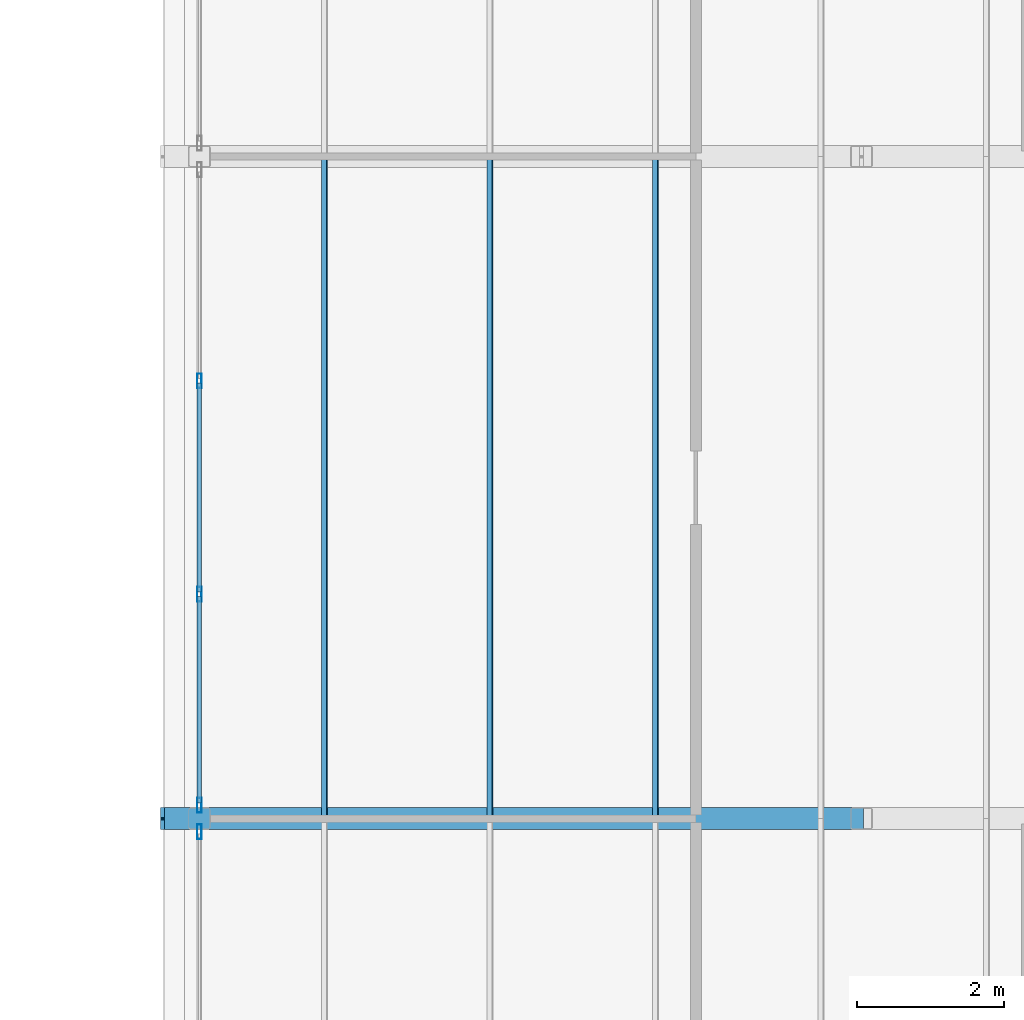
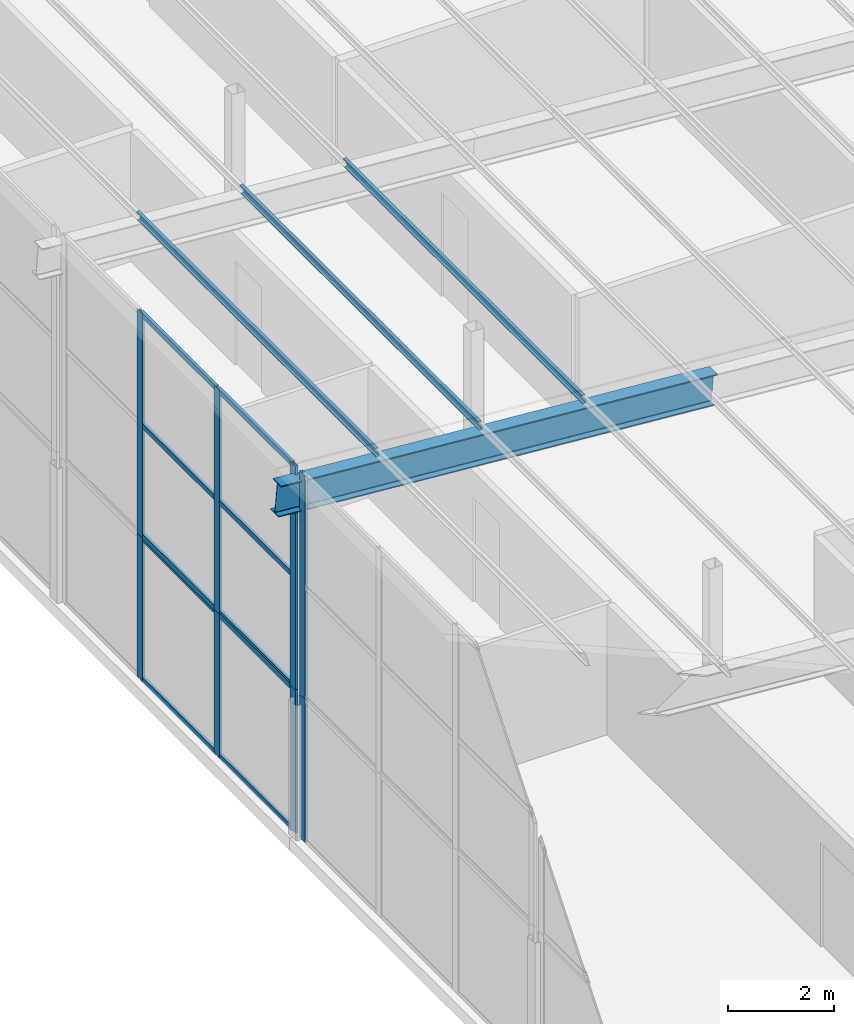
# One storey, part 35 of 85: 22 members, 4 elements without a shape of their own.
"""IFC4 building model written with IfcOpenShell, lengths in metres."""

from ifc_helpers import new_model, si_unit, direction, frame, origin, origin_2d, place, context, subcontext, project, spatial, polyline, hollow_rectangle, i_section, outline, extrude, material, layer, layer_set, material_profile, profile_set, type_object, element, aggregate, save


model = new_model("IFC4")

# Units and contexts
model_context = context("Model", 3, precision=1e-05, world=origin(), true_north=direction((0.0, 1.0)))
body_context = subcontext(model_context, "Body", "Model", "MODEL_VIEW")
ifc_project = project(units=[si_unit("LENGTHUNIT", "METRE"), si_unit("AREAUNIT", "SQUARE_METRE"), si_unit("VOLUMEUNIT", "CUBIC_METRE"), si_unit("PLANEANGLEUNIT", "RADIAN"), si_unit("MASSUNIT", "GRAM", prefix="KILO")], contexts=[model_context])

# Site, building, storey
site_placement = place(None, origin())
site = spatial("IfcSite", under=ifc_project, at=site_placement, CompositionType="ELEMENT")
building_placement = place(site_placement, origin())
building = spatial("IfcBuilding", under=site, at=building_placement, Name="Opaline Strait Convention Centre", CompositionType="ELEMENT")
storey_placement = place(building_placement, frame((0.0, 0.0, 17.0)))
storey = spatial("IfcBuildingStorey", under=building, at=storey_placement, Name="L03", CompositionType="ELEMENT", Elevation=17.0)

# Curtain wall, member
ifc_material_1 = material(Name="Aluminium framed double glazing", Category="aluminium")
ifc_layer = layer(ifc_material_1, 0.199951171875)
ifc_layer_set = layer_set([ifc_layer], Name="Aluminium framed double glazing")
curtain_wall_type = type_object("IfcCurtainWallType", Name="Curtain wall 3000 module unitised", PredefinedType="NOTDEFINED", material=ifc_layer_set)
curtain_wall_1_placement = place(storey_placement, origin())
curtain_wall_1 = element("IfcCurtainWall", 1, at=curtain_wall_1_placement, inside=storey, type_object=curtain_wall_type, Name="Curtain wall W L03 32/Q", PredefinedType="NOTDEFINED")
ifc_material_2 = material(Name="Aluminium alloy 6063", Category="aluminium")
ifc_material_profile_1 = material_profile(ifc_material_2, hollow_rectangle(XDim=0.06005859375, YDim=0.199951171875, WallThickness=0.00390625, at=origin_2d()), Name="MULLION 60x200x4")
ifc_profile_set_1 = profile_set([ifc_material_profile_1], Name="Aluminium alloy 6063")
member_type_1 = type_object("IfcMemberType", Name="Curtain wall mullion 60 x 200", PredefinedType="MULLION", material=ifc_profile_set_1)
member_1_placement = place(storey_placement, frame((279.0, 134.820068359375, 0.0), z_axis=(0.0, 0.0, 1.0), x_axis=(-1.0, 0.0, 0.0)))
member_1 = element("IfcMember", 2, at=member_1_placement, type_object=member_type_1, Name="MCWR1 mullion 4", PredefinedType="MULLION", context=body_context, shape_type="SweptSolid", body=[
    extrude(hollow_rectangle(XDim=0.06005859375, YDim=0.199951171875, WallThickness=0.00390625, at=origin_2d()), origin(), (0.0, 0.0, 1.0), 3.300048828125),
])
aggregate(curtain_wall_1, [member_1])

# Curtain wall, members
curtain_wall_2_placement = place(storey_placement, origin())
curtain_wall_2 = element("IfcCurtainWall", 3, at=curtain_wall_2_placement, inside=storey, type_object=curtain_wall_type, Name="Curtain wall W L03 32/R", PredefinedType="NOTDEFINED")
member_2_placement = place(storey_placement, frame((279.0, 135.179931640625, 0.0), z_axis=(0.0, 0.0, 1.0), x_axis=(-1.0, 0.0, 0.0)))
member_2 = element("IfcMember", 4, at=member_2_placement, type_object=member_type_1, Name="MCWR1 mullion 1", PredefinedType="MULLION", context=body_context, shape_type="SweptSolid", body=[
    extrude(hollow_rectangle(XDim=0.06005859375, YDim=0.199951171875, WallThickness=0.00390625, at=origin_2d()), origin(), (0.0, 0.0, 1.0), 3.300048828125),
])
member_3_placement = place(storey_placement, frame((279.0, 138.050048828125, 0.0), z_axis=(0.0, 0.0, 1.0), x_axis=(-1.0, 0.0, 0.0)))
member_3 = element("IfcMember", 5, at=member_3_placement, type_object=member_type_1, Name="MCWR1 mullion 2", PredefinedType="MULLION", context=body_context, shape_type="SweptSolid", body=[
    extrude(hollow_rectangle(XDim=0.06005859375, YDim=0.199951171875, WallThickness=0.00390625, at=origin_2d()), origin(), (0.0, 0.0, 1.0), 3.300048828125),
])
member_4_placement = place(storey_placement, frame((279.0, 140.949951171875, 0.0), z_axis=(0.0, 0.0, 1.0), x_axis=(-1.0, 0.0, 0.0)))
member_4 = element("IfcMember", 6, at=member_4_placement, type_object=member_type_1, Name="MCWR1 mullion 3", PredefinedType="MULLION", context=body_context, shape_type="SweptSolid", body=[
    extrude(hollow_rectangle(XDim=0.06005859375, YDim=0.199951171875, WallThickness=0.00390625, at=origin_2d()), origin(), (0.0, 0.0, 1.0), 3.300048828125),
])

# Curtain wall, member
curtain_wall_3_placement = place(storey_placement, origin())
curtain_wall_3 = element("IfcCurtainWall", 7, at=curtain_wall_3_placement, inside=storey, type_object=curtain_wall_type, Name="Clerestory curtain wall W L03 32/Q", PredefinedType="NOTDEFINED")
member_5_placement = place(storey_placement, frame((279.0, 134.820068359375, 3.300048828125), z_axis=(0.0, 0.0, 1.0), x_axis=(-1.0, 0.0, 0.0)))
member_5 = element("IfcMember", 8, at=member_5_placement, type_object=member_type_1, Name="MCWR1 mullion 4", PredefinedType="MULLION", context=body_context, shape_type="SweptSolid", body=[
    extrude(hollow_rectangle(XDim=0.06005859375, YDim=0.199951171875, WallThickness=0.00390625, at=origin_2d()), origin(), (0.0, 0.0, 1.0), 5.144287109375),
])
aggregate(curtain_wall_3, [member_5])

# Curtain wall, members
curtain_wall_4_placement = place(storey_placement, origin())
curtain_wall_4 = element("IfcCurtainWall", 9, at=curtain_wall_4_placement, inside=storey, type_object=curtain_wall_type, Name="Clerestory curtain wall W L03 32/R", PredefinedType="NOTDEFINED")
member_6_placement = place(storey_placement, frame((279.0, 135.179931640625, 3.300048828125), z_axis=(0.0, 0.0, 1.0), x_axis=(-1.0, 0.0, 0.0)))
member_6 = element("IfcMember", 10, at=member_6_placement, type_object=member_type_1, Name="MCWR1 mullion 1", PredefinedType="MULLION", context=body_context, shape_type="SweptSolid", body=[
    extrude(hollow_rectangle(XDim=0.06005859375, YDim=0.199951171875, WallThickness=0.00390625, at=origin_2d()), origin(), (0.0, 0.0, 1.0), 5.144287109375),
])
member_7_placement = place(storey_placement, frame((279.0, 138.050048828125, 3.300048828125), z_axis=(0.0, 0.0, 1.0), x_axis=(-1.0, 0.0, 0.0)))
member_7 = element("IfcMember", 11, at=member_7_placement, type_object=member_type_1, Name="MCWR1 mullion 2", PredefinedType="MULLION", context=body_context, shape_type="SweptSolid", body=[
    extrude(hollow_rectangle(XDim=0.06005859375, YDim=0.199951171875, WallThickness=0.00390625, at=origin_2d()), origin(), (0.0, 0.0, 1.0), 5.144287109375),
])
member_8_placement = place(storey_placement, frame((279.0, 140.949951171875, 3.300048828125), z_axis=(0.0, 0.0, 1.0), x_axis=(-1.0, 0.0, 0.0)))
member_8 = element("IfcMember", 12, at=member_8_placement, type_object=member_type_1, Name="MCWR1 mullion 3", PredefinedType="MULLION", context=body_context, shape_type="SweptSolid", body=[
    extrude(hollow_rectangle(XDim=0.06005859375, YDim=0.199951171875, WallThickness=0.00390625, at=origin_2d()), origin(), (0.0, 0.0, 1.0), 5.144287109375),
])

# Member
ifc_material_profile_2 = material_profile(ifc_material_2, hollow_rectangle(XDim=0.06005859375, YDim=0.1201171875, WallThickness=0.0029296875, at=origin_2d()), Name="TRANSOM 60x120x3")
ifc_profile_set_2 = profile_set([ifc_material_profile_2], Name="Aluminium alloy 6063")
member_type_2 = type_object("IfcMemberType", Name="Curtain wall transom 60 x 120", PredefinedType="USERDEFINED", material=ifc_profile_set_2)
member_9_placement = place(storey_placement, frame((279.0, 135.2099609375, 0.030029296875), z_axis=(0.0, 1.0, 0.0), x_axis=(-1.0, 0.0, 0.0)))
member_9 = element("IfcMember", 13, at=member_9_placement, type_object=member_type_2, Name="MCWR1 transom 1.1", ObjectType="TRANSOM", PredefinedType="USERDEFINED", context=body_context, shape_type="SweptSolid", body=[
    extrude(hollow_rectangle(XDim=0.06005859375, YDim=0.1201171875, WallThickness=0.0029296875, at=origin_2d()), origin(), (0.0, 0.0, 1.0), 2.81005859375),
])

member_10_placement = place(storey_placement, frame((279.0, 135.2099609375, 3.27001953125), z_axis=(0.0, 1.0, 0.0), x_axis=(-1.0, 0.0, 0.0)))
member_10 = element("IfcMember", 14, at=member_10_placement, type_object=member_type_2, Name="MCWR1 transom 1.2", ObjectType="TRANSOM", PredefinedType="USERDEFINED", context=body_context, shape_type="SweptSolid", body=[
    extrude(hollow_rectangle(XDim=0.06005859375, YDim=0.1201171875, WallThickness=0.0029296875, at=origin_2d()), origin(), (0.0, 0.0, 1.0), 2.81005859375),
])

member_11_placement = place(storey_placement, frame((279.0, 138.080078125, 0.030029296875), z_axis=(0.0, 1.0, 0.0), x_axis=(-1.0, 0.0, 0.0)))
member_11 = element("IfcMember", 15, at=member_11_placement, type_object=member_type_2, Name="MCWR1 transom 2.1", ObjectType="TRANSOM", PredefinedType="USERDEFINED", context=body_context, shape_type="SweptSolid", body=[
    extrude(hollow_rectangle(XDim=0.06005859375, YDim=0.1201171875, WallThickness=0.0029296875, at=origin_2d()), origin(), (0.0, 0.0, 1.0), 2.83984375),
])

member_12_placement = place(storey_placement, frame((279.0, 138.080078125, 3.27001953125), z_axis=(0.0, 1.0, 0.0), x_axis=(-1.0, 0.0, 0.0)))
member_12 = element("IfcMember", 16, at=member_12_placement, type_object=member_type_2, Name="MCWR1 transom 2.2", ObjectType="TRANSOM", PredefinedType="USERDEFINED", context=body_context, shape_type="SweptSolid", body=[
    extrude(hollow_rectangle(XDim=0.06005859375, YDim=0.1201171875, WallThickness=0.0029296875, at=origin_2d()), origin(), (0.0, 0.0, 1.0), 2.83984375),
])

aggregate(curtain_wall_2, [member_2, member_3, member_4, member_9, member_10, member_11, member_12])

member_13_placement = place(storey_placement, frame((279.0, 135.2099609375, 3.330078125), z_axis=(0.0, 1.0, 0.0), x_axis=(-1.0, 0.0, 0.0)))
member_13 = element("IfcMember", 17, at=member_13_placement, type_object=member_type_2, Name="MCWR1 transom 1.1", ObjectType="TRANSOM", PredefinedType="USERDEFINED", context=body_context, shape_type="SweptSolid", body=[
    extrude(hollow_rectangle(XDim=0.06005859375, YDim=0.1201171875, WallThickness=0.0029296875, at=origin_2d()), origin(), (0.0, 0.0, 1.0), 2.81005859375),
])

member_14_placement = place(storey_placement, frame((279.0, 135.2099609375, 5.872314453125), z_axis=(0.0, 1.0, 0.0), x_axis=(-1.0, 0.0, 0.0)))
member_14 = element("IfcMember", 18, at=member_14_placement, type_object=member_type_2, Name="MCWR1 transom 1.2", ObjectType="TRANSOM", PredefinedType="USERDEFINED", context=body_context, shape_type="SweptSolid", body=[
    extrude(hollow_rectangle(XDim=0.06005859375, YDim=0.1201171875, WallThickness=0.0029296875, at=origin_2d()), origin(), (0.0, 0.0, 1.0), 2.81005859375),
])

member_15_placement = place(storey_placement, frame((279.0, 135.2099609375, 8.414306640625), z_axis=(0.0, 1.0, 0.0), x_axis=(-1.0, 0.0, 0.0)))
member_15 = element("IfcMember", 19, at=member_15_placement, type_object=member_type_2, Name="MCWR1 transom 1.3", ObjectType="TRANSOM", PredefinedType="USERDEFINED", context=body_context, shape_type="SweptSolid", body=[
    extrude(hollow_rectangle(XDim=0.06005859375, YDim=0.1201171875, WallThickness=0.0029296875, at=origin_2d()), origin(), (0.0, 0.0, 1.0), 2.81005859375),
])

member_16_placement = place(storey_placement, frame((279.0, 138.080078125, 3.330078125), z_axis=(0.0, 1.0, 0.0), x_axis=(-1.0, 0.0, 0.0)))
member_16 = element("IfcMember", 20, at=member_16_placement, type_object=member_type_2, Name="MCWR1 transom 2.1", ObjectType="TRANSOM", PredefinedType="USERDEFINED", context=body_context, shape_type="SweptSolid", body=[
    extrude(hollow_rectangle(XDim=0.06005859375, YDim=0.1201171875, WallThickness=0.0029296875, at=origin_2d()), origin(), (0.0, 0.0, 1.0), 2.83984375),
])

member_17_placement = place(storey_placement, frame((279.0, 138.080078125, 5.872314453125), z_axis=(0.0, 1.0, 0.0), x_axis=(-1.0, 0.0, 0.0)))
member_17 = element("IfcMember", 21, at=member_17_placement, type_object=member_type_2, Name="MCWR1 transom 2.2", ObjectType="TRANSOM", PredefinedType="USERDEFINED", context=body_context, shape_type="SweptSolid", body=[
    extrude(hollow_rectangle(XDim=0.06005859375, YDim=0.1201171875, WallThickness=0.0029296875, at=origin_2d()), origin(), (0.0, 0.0, 1.0), 2.83984375),
])

member_18_placement = place(storey_placement, frame((279.0, 138.080078125, 8.414306640625), z_axis=(0.0, 1.0, 0.0), x_axis=(-1.0, 0.0, 0.0)))
member_18 = element("IfcMember", 22, at=member_18_placement, type_object=member_type_2, Name="MCWR1 transom 2.3", ObjectType="TRANSOM", PredefinedType="USERDEFINED", context=body_context, shape_type="SweptSolid", body=[
    extrude(hollow_rectangle(XDim=0.06005859375, YDim=0.1201171875, WallThickness=0.0029296875, at=origin_2d()), origin(), (0.0, 0.0, 1.0), 2.83984375),
])

aggregate(curtain_wall_4, [member_6, member_7, member_8, member_13, member_14, member_15, member_16, member_17, member_18])

# Members
ifc_material_3 = material(Name="Steel Q355B", Category="steel")
ifc_material_profile_3 = material_profile(ifc_material_3, outline(polyline([(-0.034912109375, -0.10009765625), (0.034912109375, -0.10009765625), (0.034912109375, -0.080078125), (0.032470703125, -0.080078125), (0.032470703125, -0.097412109375), (-0.032470703125, -0.097412109375), (-0.032470703125, 0.097412109375), (0.032470703125, 0.097412109375), (0.032470703125, 0.080078125), (0.034912109375, 0.080078125), (0.034912109375, 0.10009765625), (-0.034912109375, 0.10009765625), (-0.034912109375, -0.10009765625)])), Name="C 200x70x20x2.5")
ifc_profile_set_3 = profile_set([ifc_material_profile_3], Name="Steel Q355B")
member_type_3 = type_object("IfcMemberType", Name="Roof purlin C 200x70x20x2.5", PredefinedType="PURLIN", material=ifc_profile_set_3)
for number, where, z_axis, x_axis, name in (
    (23, (285.199951171875, 135.0, 7.856201171875), (0.0, 1.0, 0.0), (-0.996917333733, 0.0, -0.078459095728), "MRP1 purlin W wing 186"),
    (24, (282.949951171875, 135.0, 8.033203125), (0.0, 1.0, 0.0), (-0.996917333733, 0.0, -0.078459095728), "MRP1 purlin W wing 196"),
    (25, (280.699951171875, 135.0, 8.210205078125), (0.0, 1.0, 0.0), (-0.996917333733, 0.0, -0.078459095728), "MRP1 purlin W wing 206"),
):
    element("IfcMember", number, at=place(storey_placement, frame(where, z_axis=z_axis, x_axis=x_axis)), inside=storey, type_object=member_type_3, Name=name, PredefinedType="PURLIN", context=body_context, shape_type="SweptSolid", body=[
        extrude(outline(polyline([(-0.034912109375, -0.10009765625), (0.034912109375, -0.10009765625), (0.034912109375, -0.080078125), (0.032470703125, -0.080078125), (0.032470703125, -0.097412109375), (-0.032470703125, -0.097412109375), (-0.032470703125, 0.097412109375), (0.032470703125, 0.097412109375), (0.032470703125, 0.080078125), (0.034912109375, 0.080078125), (0.034912109375, 0.10009765625), (-0.034912109375, 0.10009765625), (-0.034912109375, -0.10009765625)])), origin(), (0.0, 0.0, 1.0), 9.0),
    ])
ifc_material_profile_4 = material_profile(ifc_material_3, i_section(OverallWidth=0.300048828125, OverallDepth=0.699951171875, WebThickness=0.012939453125, FlangeThickness=0.02392578125, FilletRadius=0.01806640625, at=origin_2d()), Name="HN 700x300x13x24")
ifc_profile_set_4 = profile_set([ifc_material_profile_4], Name="Steel Q355B")
member_type_4 = type_object("IfcMemberType", Name="Roof rafter HN 700x300x13x24", PredefinedType="RAFTER", material=ifc_profile_set_4)
member_19_placement = place(storey_placement, frame((278.5, 135.0, 7.93212890625), z_axis=(0.996916213079, 0.0, -0.078473333693), x_axis=(0.0, 1.0, 0.0)))
element("IfcMember", 26, at=member_19_placement, inside=storey, type_object=member_type_4, Name="MRR1 rafter y 135", PredefinedType="RAFTER", context=body_context, shape_type="SweptSolid", body=[
    extrude(i_section(OverallWidth=0.300048828125, OverallDepth=0.699951171875, WebThickness=0.012939453125, FlangeThickness=0.02392578125, FilletRadius=0.01806640625, at=origin_2d()), origin(), (0.0, 0.0, 1.0), 9.529296875),
])

save(model, "model.ifc")
